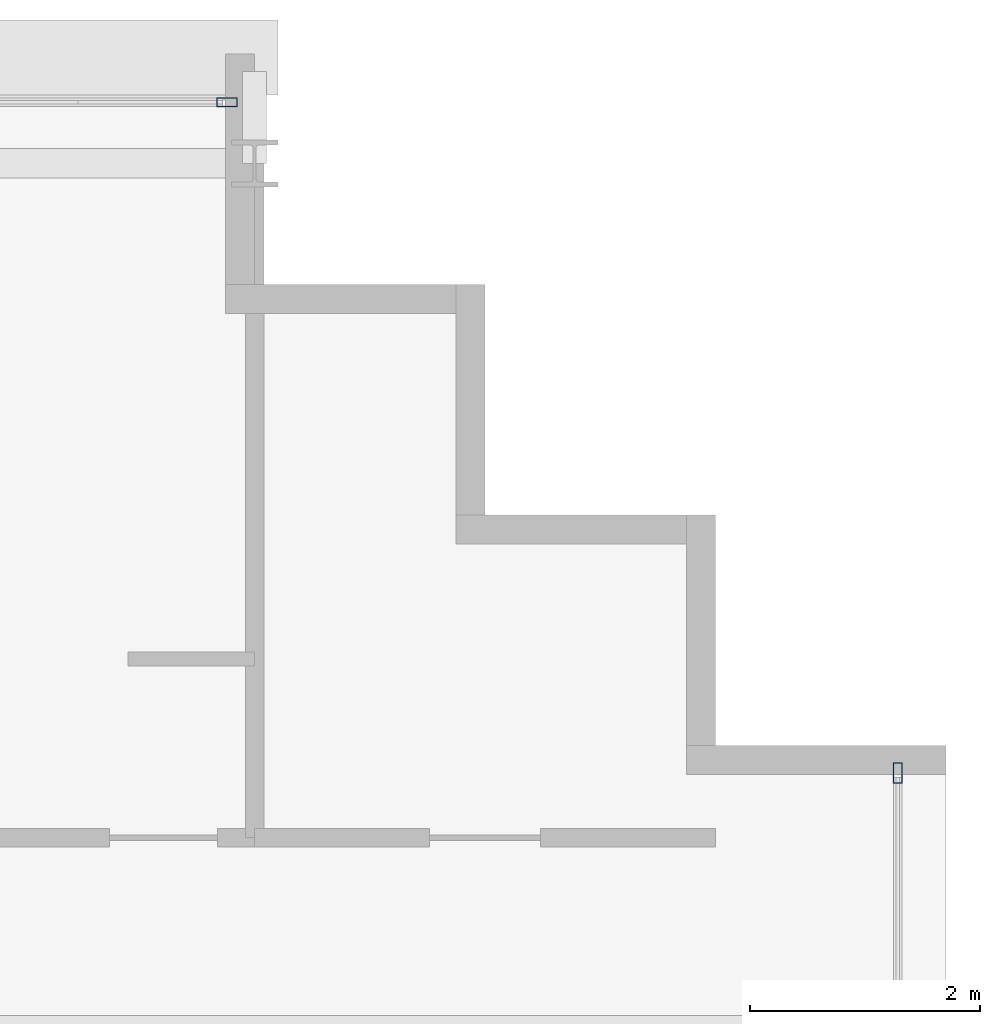
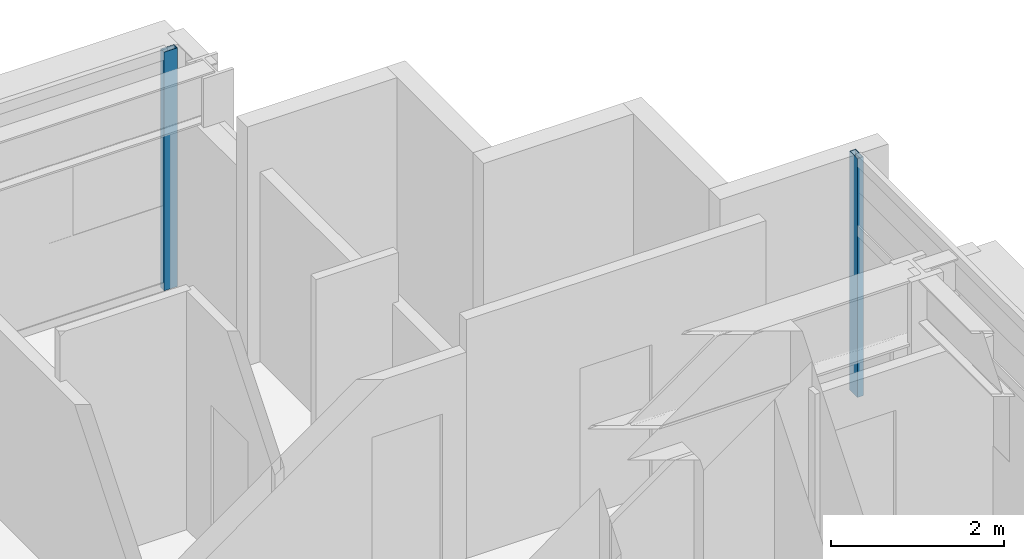
# One storey, part 19 of 31: 2 members, 2 elements without a shape of their own.
"""IFC4 building model written with IfcOpenShell, lengths in metres."""

from ifc_helpers import new_model, si_unit, direction, frame, origin, origin_2d, place, context, subcontext, project, spatial, hollow_rectangle, extrude, source, transform, mapped, material, layer, layer_set, material_profile, profile_set, type_object, element, aggregate, save


model = new_model("IFC4")

# Units and contexts
model_context = context("Model", 3, precision=1e-05, world=origin(), true_north=direction((0.0, 1.0)))
body_context = subcontext(model_context, "Body", "Model", "MODEL_VIEW")
ifc_project = project(units=[si_unit("LENGTHUNIT", "METRE"), si_unit("AREAUNIT", "SQUARE_METRE"), si_unit("VOLUMEUNIT", "CUBIC_METRE"), si_unit("PLANEANGLEUNIT", "RADIAN"), si_unit("MASSUNIT", "GRAM", prefix="KILO")], contexts=[model_context])

# Site, building, storey
site_placement = place(None, origin())
site = spatial("IfcSite", under=ifc_project, at=site_placement, CompositionType="ELEMENT")
building_placement = place(site_placement, origin())
building = spatial("IfcBuilding", under=site, at=building_placement, Name="Ocotamira Hotel", CompositionType="ELEMENT")
storey_placement = place(building_placement, frame((0.0, 0.0, 188.39990234375)))
storey = spatial("IfcBuildingStorey", under=building, at=storey_placement, Name="L47", CompositionType="ELEMENT", Elevation=188.39990234375)

# Curtain wall, member
ifc_material_1 = material(Name="Anodised pale-metal aluminium and solar glass", Category="aluminium")
ifc_layer = layer(ifc_material_1, 0.199951171875)
ifc_layer_set = layer_set([ifc_layer], Name="Anodised pale-metal aluminium and solar glass")
curtain_wall_type = type_object("IfcCurtainWallType", Name="CW-SYS4-Z3", PredefinedType="NOTDEFINED", material=ifc_layer_set)
curtain_wall_1_placement = place(storey_placement, origin())
curtain_wall_1 = element("IfcCurtainWall", 1, at=curtain_wall_1_placement, inside=storey, type_object=curtain_wall_type, Name="L47 Curtain Wall CW-4 CW-L47-N", PredefinedType="NOTDEFINED")
ifc_material_2 = material(Name="Anodised pale-metal aluminium 6063-T6", Category="aluminium")
ifc_material_profile = material_profile(ifc_material_2, hollow_rectangle(XDim=0.080078125, YDim=0.179931640625, WallThickness=0.006103515625, at=origin_2d()), Name="HSS180X80X6")
ifc_profile_set = profile_set([ifc_material_profile], Name="Anodised pale-metal aluminium 6063-T6")
member_type = type_object("IfcMemberType", Name="CWM-180X75", PredefinedType="MULLION", material=ifc_profile_set)
shared_shape = source(origin(), body_context, "Body", "SweptSolid", [
    extrude(hollow_rectangle(XDim=0.080078125, YDim=0.179931640625, WallThickness=0.006103515625, at=origin_2d()), origin(), (0.0, 0.0, 1.0), 3.3701171875),
])
member_1_placement = place(storey_placement, frame((49.760009765625, 45.580078125, 0.0), z_axis=(0.0, 0.0, 1.0), x_axis=(0.0, 1.0, 0.0)))
member_1 = element("IfcMember", 2, at=member_1_placement, type_object=member_type, Name="CW-4 mullion 10", PredefinedType="MULLION", context=body_context, shape_type="MappedRepresentation", body=[
    mapped(shared_shape, transform((0.0, 0.0, 0.0), scale=1.0)),
])
aggregate(curtain_wall_1, [member_1])

curtain_wall_2_placement = place(storey_placement, origin())
curtain_wall_2 = element("IfcCurtainWall", 3, at=curtain_wall_2_placement, inside=storey, type_object=curtain_wall_type, Name="L47 Curtain Wall CW-4 CW-L47-E", PredefinedType="NOTDEFINED")
member_2_placement = place(storey_placement, frame((55.580078125, 39.760009765625, 0.0), z_axis=(0.0, 0.0, 1.0), x_axis=(-1.0, 0.0, 0.0)))
member_2 = element("IfcMember", 4, at=member_2_placement, type_object=member_type, Name="CW-4 mullion 6", PredefinedType="MULLION", context=body_context, shape_type="MappedRepresentation", body=[
    mapped(shared_shape, transform((0.0, 0.0, 0.0), scale=1.0)),
])
aggregate(curtain_wall_2, [member_2])

save(model, "model.ifc")
